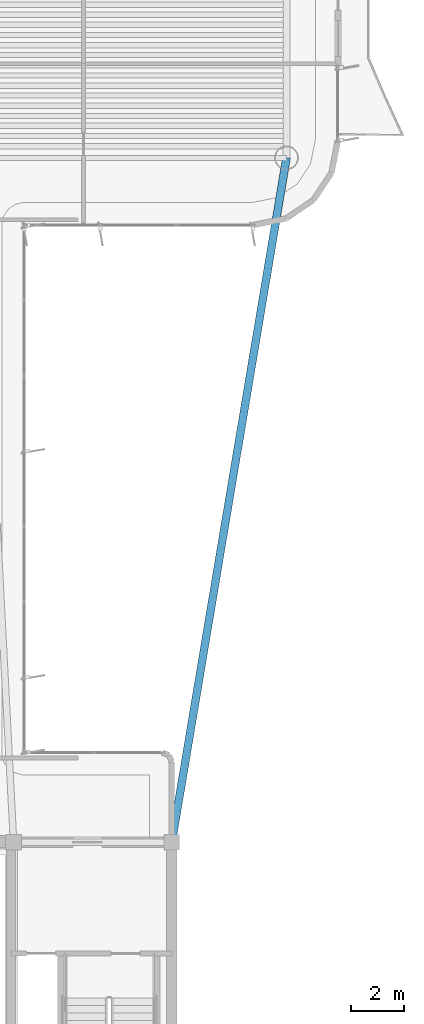
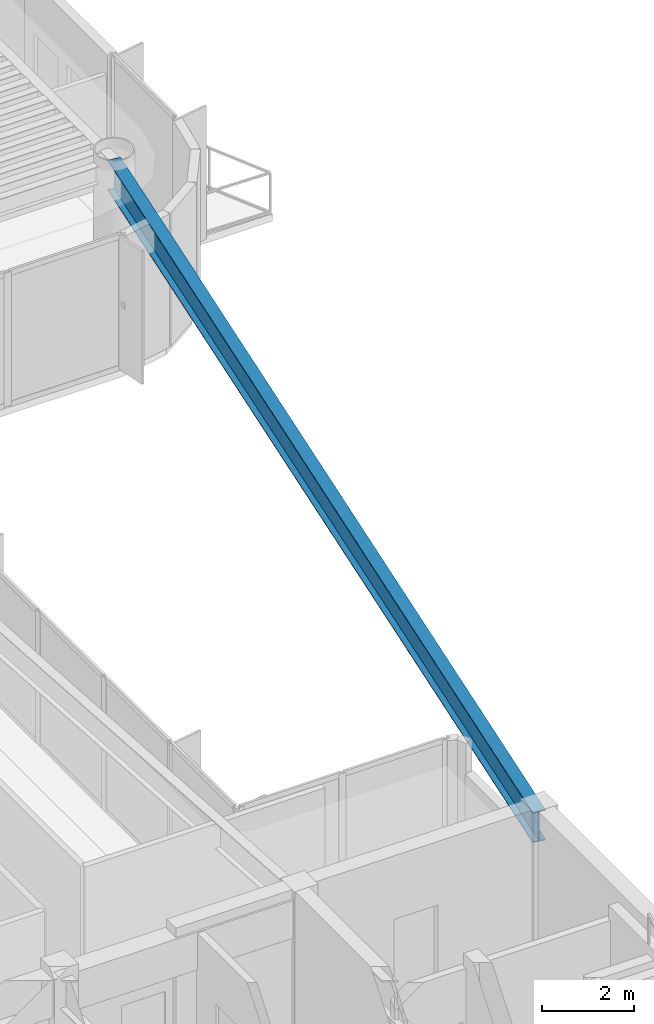
# One storey, part 4 of 16: 1 beam.
"""IFC4 building model written with IfcOpenShell, lengths in metres."""

from ifc_helpers import new_model, si_unit, direction, frame, origin, origin_2d, place, context, subcontext, project, spatial, i_section, extrude, source, transform, mapped, material, material_profile, profile_set, type_object, element, save


model = new_model("IFC4")

# Units and contexts
model_context = context("Model", 3, precision=1e-05, world=origin(), true_north=direction((0.0, 1.0)))
body_context = subcontext(model_context, "Body", "Model", "MODEL_VIEW")
ifc_project = project(units=[si_unit("LENGTHUNIT", "METRE"), si_unit("AREAUNIT", "SQUARE_METRE"), si_unit("VOLUMEUNIT", "CUBIC_METRE"), si_unit("PLANEANGLEUNIT", "RADIAN"), si_unit("MASSUNIT", "GRAM", prefix="KILO")], contexts=[model_context])

# Site, building, storey
site_placement = place(None, origin())
site = spatial("IfcSite", under=ifc_project, at=site_placement, CompositionType="ELEMENT")
building_placement = place(site_placement, origin())
building = spatial("IfcBuilding", under=site, at=building_placement, Name="Brelvock Crest Care Tower", CompositionType="ELEMENT")
storey_placement = place(building_placement, frame((0.0, 0.0, 234.360107421875)))
storey = spatial("IfcBuildingStorey", under=building, at=storey_placement, Name="L59", CompositionType="ELEMENT", Elevation=234.360107421875)

# Beam
ifc_material = material(Name="Steel Grade 350", Category="steel")
ifc_material_profile = material_profile(ifc_material, i_section(OverallWidth=0.300048828125, OverallDepth=0.800048828125, WebThickness=0.013916015625, FlangeThickness=0.02197265625, at=origin_2d()), Name="800WB192")
ifc_profile_set = profile_set([ifc_material_profile], Name="Steel Grade 350")
beam_type = type_object("IfcBeamType", Name="BM-G5", PredefinedType="BEAM", material=ifc_profile_set)
shared_shape = source(origin(), body_context, "Body", "SweptSolid", [
    extrude(i_section(OverallWidth=0.300048828125, OverallDepth=0.800048828125, WebThickness=0.013916015625, FlangeThickness=0.02197265625, at=origin_2d()), origin(), (0.0, 0.0, 1.0), 26.31201171875),
])
beam_placement = place(storey_placement, frame((48.0, 18.0, 3.1298828125), z_axis=(0.165327282709, 0.986238758918, 0.0), x_axis=(-0.986238758918, 0.165327282709, 0.0)))
element("IfcBeam", 1, at=beam_placement, inside=storey, type_object=beam_type, Name="BM-THRO-E-L59", PredefinedType="BEAM", context=body_context, shape_type="MappedRepresentation", body=[
    mapped(shared_shape, transform((0.0, 0.0, 0.0), x_axis=(1.0, 0.0, 0.0), y_axis=(0.0, 1.0, 0.0), z_axis=(0.0, 0.0, 1.0), scale=1.0)),
])

save(model, "model.ifc")
